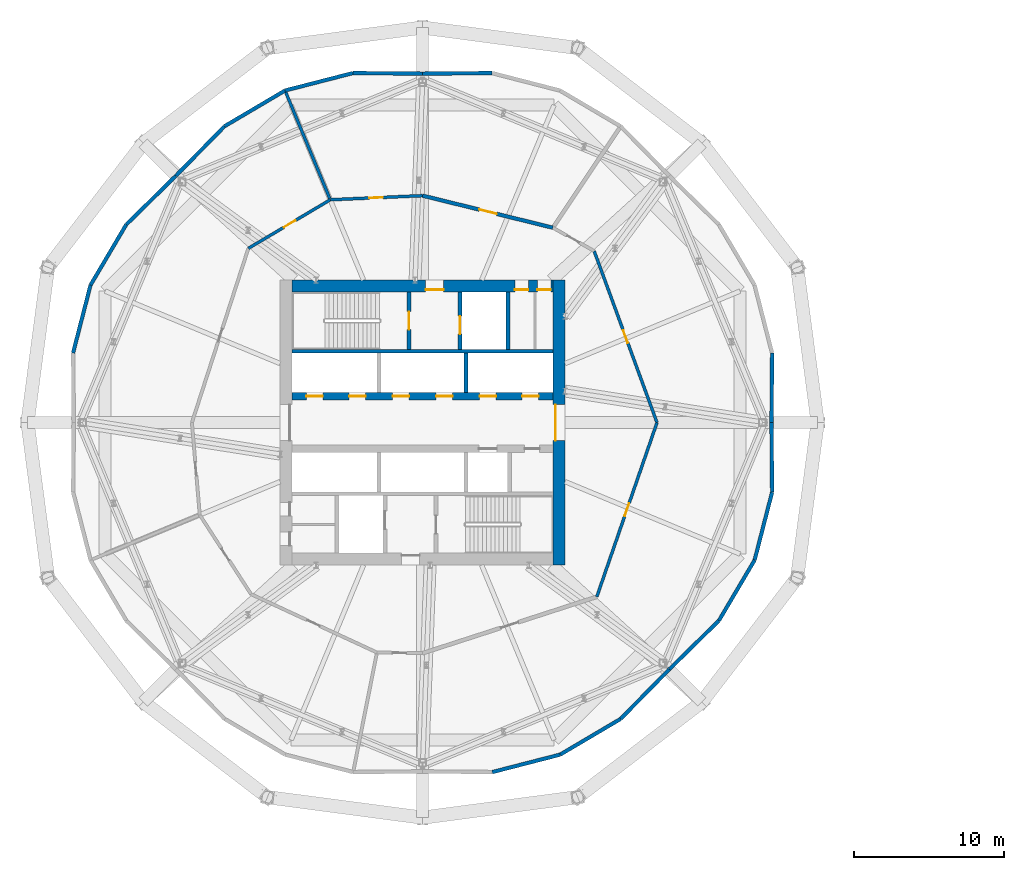
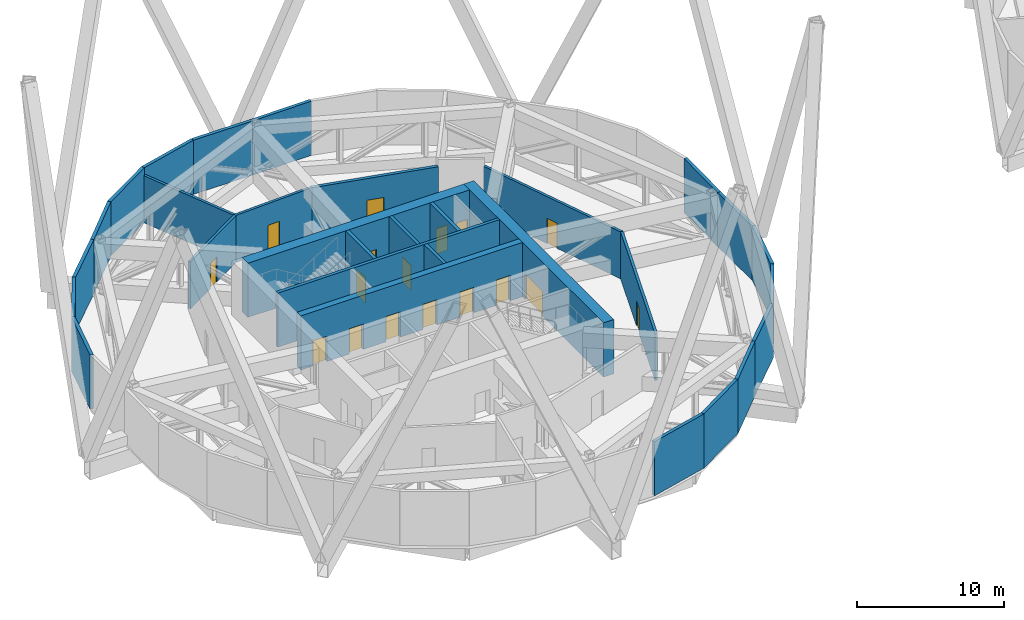
# One storey, part 15 of 21: 30 walls, 17 doors, 17 openings.
"""IFC4 building model written with IfcOpenShell, lengths in metres."""

from ifc_helpers import new_model, si_unit, direction, frame, frame_2d, origin, place, context, subcontext, project, spatial, rectangle, extrude, material, layer, layer_set, type_object, element, fill, save


model = new_model("IFC4")

# Units and contexts
model_context = context("Model", 3, precision=1e-05, world=origin(), true_north=direction((0.0, 1.0)))
body_context = subcontext(model_context, "Body", "Model", "MODEL_VIEW")
ifc_project = project(units=[si_unit("LENGTHUNIT", "METRE"), si_unit("AREAUNIT", "SQUARE_METRE"), si_unit("VOLUMEUNIT", "CUBIC_METRE"), si_unit("PLANEANGLEUNIT", "RADIAN"), si_unit("MASSUNIT", "GRAM", prefix="KILO")], contexts=[model_context])

# Site, building, storey
site_placement = place(None, origin())
site = spatial("IfcSite", under=ifc_project, at=site_placement, CompositionType="ELEMENT")
building_placement = place(site_placement, origin())
building = spatial("IfcBuilding", under=site, at=building_placement, Name="Ogive Gate Towers", CompositionType="ELEMENT")
storey_placement = place(building_placement, frame((0.0, 0.0, 71.39990234375)))
storey = spatial("IfcBuildingStorey", under=building, at=storey_placement, Name="L16", CompositionType="ELEMENT", Elevation=71.39990234375)

# Wall
ifc_material_1 = material(Name="Fire-rated block compartment wall")
ifc_layer_1 = layer(ifc_material_1, 0.199951171875)
ifc_layer_set_1 = layer_set([ifc_layer_1], Name="Compartment wall 200")
wall_type_1 = type_object("IfcWallType", Name="Compartment wall 200", PredefinedType="PARTITIONING", material=ifc_layer_set_1)
wall_1_placement = place(storey_placement, frame((-45.1767578125, 22.154541015625, 0.0), z_axis=(0.0, 0.0, 1.0), x_axis=(0.382675881909, -0.923882659976, 0.0)))
element("IfcWall", 1, at=wall_1_placement, inside=storey, type_object=wall_type_1, Name="Partition T1-L16-002", PredefinedType="PARTITIONING", context=body_context, shape_type="SweptSolid", body=[
    extrude(rectangle(XDim=7.806396484375, YDim=0.199951171875, at=frame_2d((3.9033203125, 0.0))), origin(), (0.0, 0.0, 1.0), 3.900146484375),
])

# Wall, opening, door
wall_2_placement = place(storey_placement, frame((-36.0, 15.122802734375, 0.0), z_axis=(0.0, 0.0, 1.0), x_axis=(-0.999018686011, -0.044290687528, 0.0)))
wall_2 = element("IfcWall", 2, at=wall_2_placement, inside=storey, type_object=wall_type_1, Name="Partition T1-L16-006", PredefinedType="PARTITIONING", context=body_context, shape_type="SweptSolid", body=[
    extrude(rectangle(XDim=6.1572265625, YDim=0.199951171875, at=frame_2d((3.07861328125, 0.0))), origin(), (0.0, 0.0, 1.0), 3.900146484375),
])
opening_1_placement = place(wall_2_placement, frame((2.64990234375, 0.0, 0.0)))
opening_1 = element("IfcOpeningElement", 3, at=opening_1_placement, cuts=wall_2, Name="Opening T1-L16-D02", PredefinedType="OPENING", context=body_context, shape_type="SweptSolid", body=[
    extrude(rectangle(XDim=0.89990234375, YDim=2.10009765625, at=frame_2d((0.449951171875, 1.050048828125))), frame((0.0, 0.10986328125, 0.0), z_axis=(0.0, -1.0, 0.0), x_axis=(1.0, 0.0, 0.0)), (0.0, 0.0, 1.0), 0.219970703125),
])
ifc_material_2 = material(Name="Steel fire door", Category="steel")
door_type_1 = type_object("IfcDoorType", Name="Fire door 900 FD30S", OperationType="NOTDEFINED", PredefinedType="DOOR", material=ifc_material_2)
door_1_placement = place(opening_1_placement, origin())
door_1 = element("IfcDoor", 4, at=door_1_placement, inside=storey, type_object=door_type_1, Name="Door T1-L16-D02", OperationType="SINGLE_SWING_LEFT", OverallHeight=2.10009765625, OverallWidth=0.89990234375, PredefinedType="DOOR", context=body_context, shape_type="SweptSolid", body=[
    extrude(rectangle(XDim=0.89990234375, YDim=2.10009765625, at=frame_2d((0.449951171875, 1.050048828125))), frame((0.0, 0.02490234375, 0.0), z_axis=(0.0, -1.0, 0.0), x_axis=(1.0, 0.0, 0.0)), (0.0, 0.0, 1.0), 0.050048828125),
])
fill(opening_1, door_1)

wall_3_placement = place(storey_placement, frame((-42.151123046875, 14.85009765625, 0.0), z_axis=(0.0, 0.0, 1.0), x_axis=(-0.859997157587, -0.510298823183, 0.0)))
wall_3 = element("IfcWall", 5, at=wall_3_placement, inside=storey, type_object=wall_type_1, Name="Partition T1-L16-007", PredefinedType="PARTITIONING", context=body_context, shape_type="SweptSolid", body=[
    extrude(rectangle(XDim=6.34814453125, YDim=0.199951171875, at=frame_2d((3.174072265625, 0.0))), origin(), (0.0, 0.0, 1.0), 3.900146484375),
])
opening_2_placement = place(wall_3_placement, frame((2.699951171875, 0.0, 0.0)))
opening_2 = element("IfcOpeningElement", 6, at=opening_2_placement, cuts=wall_3, Name="Opening T1-L16-D03", PredefinedType="OPENING", context=body_context, shape_type="SweptSolid", body=[
    extrude(rectangle(XDim=0.89990234375, YDim=2.10009765625, at=frame_2d((0.449951171875, 1.050048828125))), frame((0.0, 0.10986328125, 0.0), z_axis=(0.0, -1.0, 0.0), x_axis=(1.0, 0.0, 0.0)), (0.0, 0.0, 1.0), 0.219970703125),
])
door_2_placement = place(opening_2_placement, origin())
door_2 = element("IfcDoor", 7, at=door_2_placement, inside=storey, type_object=door_type_1, Name="Door T1-L16-D03", OperationType="SINGLE_SWING_RIGHT", OverallHeight=2.10009765625, OverallWidth=0.89990234375, PredefinedType="DOOR", context=body_context, shape_type="SweptSolid", body=[
    extrude(rectangle(XDim=0.89990234375, YDim=2.10009765625, at=frame_2d((0.449951171875, 1.050048828125))), frame((0.0, 0.02490234375, 0.0), z_axis=(0.0, -1.0, 0.0), x_axis=(1.0, 0.0, 0.0)), (0.0, 0.0, 1.0), 0.050048828125),
])
fill(opening_2, door_2)

wall_4_placement = place(storey_placement, frame((-24.389404296875, -11.610595703125, 0.0), z_axis=(0.0, 0.0, 1.0), x_axis=(0.326612901712, 0.945158194397, 0.0)))
wall_4 = element("IfcWall", 8, at=wall_4_placement, inside=storey, type_object=wall_type_1, Name="Partition T1-L16-014", PredefinedType="PARTITIONING", context=body_context, shape_type="SweptSolid", body=[
    extrude(rectangle(XDim=12.2841796875, YDim=0.199951171875, at=frame_2d((6.14208984375, 0.0))), origin(), (0.0, 0.0, 1.0), 3.900146484375),
])
opening_3_placement = place(wall_4_placement, frame((5.699951171875, 0.0, 0.0)))
opening_3 = element("IfcOpeningElement", 9, at=opening_3_placement, cuts=wall_4, Name="Opening T1-L16-D10", PredefinedType="OPENING", context=body_context, shape_type="SweptSolid", body=[
    extrude(rectangle(XDim=0.89990234375, YDim=2.10009765625, at=frame_2d((0.449951171875, 1.050048828125))), frame((0.0, 0.10986328125, 0.0), z_axis=(0.0, -1.0, 0.0), x_axis=(1.0, 0.0, 0.0)), (0.0, 0.0, 1.0), 0.219970703125),
])
door_3_placement = place(opening_3_placement, origin())
door_3 = element("IfcDoor", 10, at=door_3_placement, inside=storey, type_object=door_type_1, Name="Door T1-L16-D10", OperationType="SINGLE_SWING_RIGHT", OverallHeight=2.10009765625, OverallWidth=0.89990234375, PredefinedType="DOOR", context=body_context, shape_type="SweptSolid", body=[
    extrude(rectangle(XDim=0.89990234375, YDim=2.10009765625, at=frame_2d((0.449951171875, 1.050048828125))), frame((0.0, 0.02490234375, 0.0), z_axis=(0.0, -1.0, 0.0), x_axis=(1.0, 0.0, 0.0)), (0.0, 0.0, 1.0), 0.050048828125),
])
fill(opening_3, door_3)

wall_5_placement = place(storey_placement, frame((-20.377197265625, 0.0, 0.0), z_axis=(0.0, 0.0, 1.0), x_axis=(-0.343981292192, 0.938976501634, 0.0)))
wall_5 = element("IfcWall", 11, at=wall_5_placement, inside=storey, type_object=wall_type_1, Name="Partition T1-L16-015", PredefinedType="PARTITIONING", context=body_context, shape_type="SweptSolid", body=[
    extrude(rectangle(XDim=12.17724609375, YDim=0.199951171875, at=frame_2d((6.088623046875, 0.0))), origin(), (0.0, 0.0, 1.0), 3.900146484375),
])
opening_4_placement = place(wall_5_placement, frame((5.64990234375, 0.0, 0.0)))
opening_4 = element("IfcOpeningElement", 12, at=opening_4_placement, cuts=wall_5, Name="Opening T1-L16-D11", PredefinedType="OPENING", context=body_context, shape_type="SweptSolid", body=[
    extrude(rectangle(XDim=0.89990234375, YDim=2.10009765625, at=frame_2d((0.449951171875, 1.050048828125))), frame((0.0, 0.10986328125, 0.0), z_axis=(0.0, -1.0, 0.0), x_axis=(1.0, 0.0, 0.0)), (0.0, 0.0, 1.0), 0.219970703125),
])
door_4_placement = place(opening_4_placement, origin())
door_4 = element("IfcDoor", 13, at=door_4_placement, inside=storey, type_object=door_type_1, Name="Door T1-L16-D11", OperationType="SINGLE_SWING_LEFT", OverallHeight=2.10009765625, OverallWidth=0.89990234375, PredefinedType="DOOR", context=body_context, shape_type="SweptSolid", body=[
    extrude(rectangle(XDim=0.89990234375, YDim=2.10009765625, at=frame_2d((0.449951171875, 1.050048828125))), frame((0.0, 0.02490234375, 0.0), z_axis=(0.0, -1.0, 0.0), x_axis=(1.0, 0.0, 0.0)), (0.0, 0.0, 1.0), 0.050048828125),
])
fill(opening_4, door_4)

# Wall, openings, doors
ifc_material_3 = material(Name="Concrete C60/75", Category="concrete")
ifc_layer_2 = layer(ifc_material_3, 0.800048828125)
ifc_layer_set_2 = layer_set([ifc_layer_2], Name="Core wall 800 mm")
wall_type_2 = type_object("IfcWallType", Name="Core wall 800 mm", PredefinedType="SHEAR", material=ifc_layer_set_2)
wall_6_placement = place(storey_placement, frame((-44.699951171875, 9.10009765625, 0.0), z_axis=(0.0, 0.0, 1.0), x_axis=(1.0, 0.0, 0.0)))
wall_6 = element("IfcWall", 14, at=wall_6_placement, inside=storey, type_object=wall_type_2, Name="T1 L16 Core wall 800 mm", PredefinedType="SHEAR", context=body_context, shape_type="SweptSolid", body=[
    extrude(rectangle(XDim=17.39990234375, YDim=0.800048828125, at=frame_2d((8.699951171875, 0.0))), origin(), (0.0, 0.0, 1.0), 4.5),
])
opening_5_placement = place(wall_6_placement, frame((8.89990234375, 0.0, 0.0)))
opening_5 = element("IfcOpeningElement", 15, at=opening_5_placement, cuts=wall_6, Name="Opening KD-T1-L16-15", PredefinedType="OPENING", context=body_context, shape_type="SweptSolid", body=[
    extrude(rectangle(XDim=1.199951171875, YDim=2.10009765625, at=frame_2d((0.60009765625, 1.050048828125))), frame((0.0, 0.41015625, 0.0), z_axis=(0.0, -1.0, 0.0), x_axis=(1.0, 0.0, 0.0)), (0.0, 0.0, 1.0), 0.820068359375),
])
opening_6_placement = place(wall_6_placement, frame((14.85009765625, 0.0, 0.0)))
opening_6 = element("IfcOpeningElement", 16, at=opening_6_placement, cuts=wall_6, Name="Opening KD-T1-L16-17", PredefinedType="OPENING", context=body_context, shape_type="SweptSolid", body=[
    extrude(rectangle(XDim=0.89990234375, YDim=2.10009765625, at=frame_2d((0.449951171875, 1.050048828125))), frame((0.0, 0.41015625, 0.0), z_axis=(0.0, -1.0, 0.0), x_axis=(1.0, 0.0, 0.0)), (0.0, 0.0, 1.0), 0.820068359375),
])
opening_7_placement = place(wall_6_placement, frame((16.35009765625, 0.0, 0.0)))
opening_7 = element("IfcOpeningElement", 17, at=opening_7_placement, cuts=wall_6, Name="Opening KD-T1-L16-18", PredefinedType="OPENING", context=body_context, shape_type="SweptSolid", body=[
    extrude(rectangle(XDim=0.89990234375, YDim=2.10009765625, at=frame_2d((0.449951171875, 1.050048828125))), frame((0.0, 0.41015625, 0.0), z_axis=(0.0, -1.0, 0.0), x_axis=(1.0, 0.0, 0.0)), (0.0, 0.0, 1.0), 0.820068359375),
])
door_type_2 = type_object("IfcDoorType", Name="Core door FD60S 1200 x 2100", OperationType="NOTDEFINED", PredefinedType="DOOR", material=ifc_material_2)
door_5_placement = place(opening_5_placement, origin())
door_5 = element("IfcDoor", 18, at=door_5_placement, inside=storey, type_object=door_type_2, Name="T1 L16 Fire-fighting lobby door", OperationType="SINGLE_SWING_RIGHT", OverallHeight=2.10009765625, OverallWidth=1.199951171875, PredefinedType="DOOR", context=body_context, shape_type="SweptSolid", body=[
    extrude(rectangle(XDim=1.199951171875, YDim=2.10009765625, at=frame_2d((0.60009765625, 1.050048828125))), frame((0.0, -0.22509765625, 0.0), z_axis=(0.0, -1.0, 0.0), x_axis=(1.0, 0.0, 0.0)), (0.0, 0.0, 1.0), 0.050048828125),
])
fill(opening_5, door_5)
door_type_3 = type_object("IfcDoorType", Name="Core door FD60S 900 x 2100", OperationType="NOTDEFINED", PredefinedType="DOOR", material=ifc_material_2)
door_6_placement = place(opening_6_placement, origin())
door_6 = element("IfcDoor", 19, at=door_6_placement, inside=storey, type_object=door_type_3, Name="T1 L16 Core door", OperationType="SINGLE_SWING_RIGHT", OverallHeight=2.10009765625, OverallWidth=0.89990234375, PredefinedType="DOOR", context=body_context, shape_type="SweptSolid", body=[
    extrude(rectangle(XDim=0.89990234375, YDim=2.10009765625, at=frame_2d((0.449951171875, 1.050048828125))), frame((0.0, -0.22509765625, 0.0), z_axis=(0.0, -1.0, 0.0), x_axis=(1.0, 0.0, 0.0)), (0.0, 0.0, 1.0), 0.050048828125),
])
fill(opening_6, door_6)
door_7_placement = place(opening_7_placement, origin())
door_7 = element("IfcDoor", 20, at=door_7_placement, inside=storey, type_object=door_type_3, Name="T1 L16 Core door", OperationType="SINGLE_SWING_LEFT", OverallHeight=2.10009765625, OverallWidth=0.89990234375, PredefinedType="DOOR", context=body_context, shape_type="SweptSolid", body=[
    extrude(rectangle(XDim=0.89990234375, YDim=2.10009765625, at=frame_2d((0.449951171875, 1.050048828125))), frame((0.0, -0.22509765625, 0.0), z_axis=(0.0, -1.0, 0.0), x_axis=(1.0, 0.0, 0.0)), (0.0, 0.0, 1.0), 0.050048828125),
])
fill(opening_7, door_7)

# Wall, opening, door
wall_7_placement = place(storey_placement, frame((-26.89990234375, -9.5, 0.0), z_axis=(0.0, 0.0, 1.0), x_axis=(0.0, 1.0, 0.0)))
wall_7 = element("IfcWall", 21, at=wall_7_placement, inside=storey, type_object=wall_type_2, Name="T1 L16 Core wall 800 mm", PredefinedType="SHEAR", context=body_context, shape_type="SweptSolid", body=[
    extrude(rectangle(XDim=19.0, YDim=0.800048828125, at=frame_2d((9.5, 0.0))), origin(), (0.0, 0.0, 1.0), 4.5),
])
opening_8_placement = place(wall_7_placement, frame((8.300048828125, 0.0, 0.0)))
opening_8 = element("IfcOpeningElement", 22, at=opening_8_placement, cuts=wall_7, Name="Opening KD-T1-L16-02", PredefinedType="OPENING", context=body_context, shape_type="SweptSolid", body=[
    extrude(rectangle(XDim=2.39990234375, YDim=2.10009765625, at=frame_2d((1.199951171875, 1.050048828125))), frame((0.0, 0.41015625, 0.0), z_axis=(0.0, -1.0, 0.0), x_axis=(1.0, 0.0, 0.0)), (0.0, 0.0, 1.0), 0.820068359375),
])
door_type_4 = type_object("IfcDoorType", Name="Core double door FD60S 2400 x 2100", OperationType="DOUBLE_DOOR_SINGLE_SWING", PredefinedType="DOOR", material=ifc_material_2)
door_8_placement = place(opening_8_placement, origin())
door_8 = element("IfcDoor", 23, at=door_8_placement, inside=storey, type_object=door_type_4, Name="T1 L16 Core door double", OperationType="DOUBLE_DOOR_SINGLE_SWING", OverallHeight=2.10009765625, OverallWidth=2.39990234375, PredefinedType="DOOR", context=body_context, shape_type="SweptSolid", body=[
    extrude(rectangle(XDim=2.39990234375, YDim=2.10009765625, at=frame_2d((1.199951171875, 1.050048828125))), frame((0.0, 0.27490234375, 0.0), z_axis=(0.0, -1.0, 0.0), x_axis=(1.0, 0.0, 0.0)), (0.0, 0.0, 1.0), 0.050048828125),
])
fill(opening_8, door_8)

# Walls
ifc_material_4 = material(Name="Pale metal aluminium louvre", Category="aluminium")
ifc_layer_3 = layer(ifc_material_4, 0.25)
ifc_layer_set_3 = layer_set([ifc_layer_3], Name="Plant louvre wall")
wall_type_3 = type_object("IfcWallType", Name="Plant louvre wall", PredefinedType="SOLIDWALL", material=ifc_layer_set_3)
for number, where, z_axis, x_axis, name in (
    (24, (-12.7451171875, 0.0, 0.0), (0.0, 0.0, 1.0), (0.00932029026, 0.999956565151, 0.0), "Plant louvre wall"),
    (25, (-31.36376953125, 23.298095703125, 0.0), (0.0, 0.0, 1.0), (-0.999956565151, -0.00932029026, 0.0), "Plant louvre wall"),
    (26, (-36.0, 23.2548828125, 0.0), (0.0, 0.0, 1.0), (-0.999956565151, 0.00932029026, 0.0), "Plant louvre wall"),
):
    element("IfcWall", number, at=place(storey_placement, frame(where, z_axis=z_axis, x_axis=x_axis)), inside=storey, type_object=wall_type_3, Name=name, PredefinedType="SOLIDWALL", context=body_context, shape_type="SweptSolid", body=[
        extrude(rectangle(XDim=4.636474609375, YDim=0.25, at=frame_2d((2.318359375, 0.0))), origin(), (0.0, 0.0, 1.0), 4.5),
    ])
wall_8_placement = place(storey_placement, frame((-40.63623046875, 23.298095703125, 0.0), z_axis=(0.0, 0.0, 1.0), x_axis=(-0.968405489026, -0.249380850957, 0.0)))
element("IfcWall", 27, at=wall_8_placement, inside=storey, type_object=wall_type_3, Name="Plant louvre wall", PredefinedType="SOLIDWALL", context=body_context, shape_type="SweptSolid", body=[
    extrude(rectangle(XDim=4.678466796875, YDim=0.25, at=frame_2d((2.33935546875, 0.0))), origin(), (0.0, 0.0, 1.0), 4.5),
])
wall_9_placement = place(storey_placement, frame((-45.1669921875, 22.13134765625, 0.0), z_axis=(0.0, 0.0, 1.0), x_axis=(-0.861090617776, -0.508451519792, 0.0)))
element("IfcWall", 28, at=wall_9_placement, inside=storey, type_object=wall_type_3, Name="Plant louvre wall", PredefinedType="SOLIDWALL", context=body_context, shape_type="SweptSolid", body=[
    extrude(rectangle(XDim=4.6787109375, YDim=0.25, at=frame_2d((2.33935546875, 0.0))), origin(), (0.0, 0.0, 1.0), 4.5),
])
for number, where, z_axis, x_axis, name in (
    (29, (-49.19580078125, 19.75244140625, 0.0), (0.0, 0.0, 1.0), (-0.700547180345, -0.713606087495, 0.0), "Plant louvre wall"),
    (30, (-52.44384765625, 16.44384765625, 0.0), (0.0, 0.0, 1.0), (-0.713606087495, -0.700547180345, 0.0), "Plant louvre wall"),
):
    element("IfcWall", number, at=place(storey_placement, frame(where, z_axis=z_axis, x_axis=x_axis)), inside=storey, type_object=wall_type_3, Name=name, PredefinedType="SOLIDWALL", context=body_context, shape_type="SweptSolid", body=[
        extrude(rectangle(XDim=4.636474609375, YDim=0.25, at=frame_2d((2.318359375, 0.0))), origin(), (0.0, 0.0, 1.0), 4.5),
    ])
wall_10_placement = place(storey_placement, frame((-55.75244140625, 13.19580078125, 0.0), z_axis=(0.0, 0.0, 1.0), x_axis=(-0.508451519792, -0.861090617776, 0.0)))
element("IfcWall", 31, at=wall_10_placement, inside=storey, type_object=wall_type_3, Name="Plant louvre wall", PredefinedType="SOLIDWALL", context=body_context, shape_type="SweptSolid", body=[
    extrude(rectangle(XDim=4.6787109375, YDim=0.25, at=frame_2d((2.33935546875, 0.0))), origin(), (0.0, 0.0, 1.0), 4.5),
])
for number, where, z_axis, x_axis, name in (
    (32, (-58.13134765625, 9.1669921875, 0.0), (0.0, 0.0, 1.0), (-0.249380850957, -0.968405489026, 0.0), "Plant louvre wall"),
    (33, (-31.36376953125, -23.298095703125, 0.0), (0.0, 0.0, 1.0), (0.968405489026, 0.249380850957, 0.0), "Plant louvre wall"),
):
    element("IfcWall", number, at=place(storey_placement, frame(where, z_axis=z_axis, x_axis=x_axis)), inside=storey, type_object=wall_type_3, Name=name, PredefinedType="SOLIDWALL", context=body_context, shape_type="SweptSolid", body=[
        extrude(rectangle(XDim=4.678466796875, YDim=0.25, at=frame_2d((2.33935546875, 0.0))), origin(), (0.0, 0.0, 1.0), 4.5),
    ])
wall_11_placement = place(storey_placement, frame((-26.8330078125, -22.13134765625, 0.0), z_axis=(0.0, 0.0, 1.0), x_axis=(0.861090617776, 0.508451519792, 0.0)))
element("IfcWall", 34, at=wall_11_placement, inside=storey, type_object=wall_type_3, Name="Plant louvre wall", PredefinedType="SOLIDWALL", context=body_context, shape_type="SweptSolid", body=[
    extrude(rectangle(XDim=4.6787109375, YDim=0.25, at=frame_2d((2.33935546875, 0.0))), origin(), (0.0, 0.0, 1.0), 4.5),
])
for number, where, z_axis, x_axis, name in (
    (35, (-22.80419921875, -19.75244140625, 0.0), (0.0, 0.0, 1.0), (0.700547180345, 0.713606087495, 0.0), "Plant louvre wall"),
    (36, (-19.55615234375, -16.44384765625, 0.0), (0.0, 0.0, 1.0), (0.713606087495, 0.700547180345, 0.0), "Plant louvre wall"),
):
    element("IfcWall", number, at=place(storey_placement, frame(where, z_axis=z_axis, x_axis=x_axis)), inside=storey, type_object=wall_type_3, Name=name, PredefinedType="SOLIDWALL", context=body_context, shape_type="SweptSolid", body=[
        extrude(rectangle(XDim=4.636474609375, YDim=0.25, at=frame_2d((2.318359375, 0.0))), origin(), (0.0, 0.0, 1.0), 4.5),
    ])
wall_12_placement = place(storey_placement, frame((-16.24755859375, -13.19580078125, 0.0), z_axis=(0.0, 0.0, 1.0), x_axis=(0.508451519792, 0.861090617776, 0.0)))
element("IfcWall", 37, at=wall_12_placement, inside=storey, type_object=wall_type_3, Name="Plant louvre wall", PredefinedType="SOLIDWALL", context=body_context, shape_type="SweptSolid", body=[
    extrude(rectangle(XDim=4.6787109375, YDim=0.25, at=frame_2d((2.33935546875, 0.0))), origin(), (0.0, 0.0, 1.0), 4.5),
])
wall_13_placement = place(storey_placement, frame((-13.86865234375, -9.1669921875, 0.0), z_axis=(0.0, 0.0, 1.0), x_axis=(0.249380850957, 0.968405489026, 0.0)))
element("IfcWall", 38, at=wall_13_placement, inside=storey, type_object=wall_type_3, Name="Plant louvre wall", PredefinedType="SOLIDWALL", context=body_context, shape_type="SweptSolid", body=[
    extrude(rectangle(XDim=4.678466796875, YDim=0.25, at=frame_2d((2.33935546875, 0.0))), origin(), (0.0, 0.0, 1.0), 4.5),
])
wall_14_placement = place(storey_placement, frame((-12.701904296875, -4.63623046875, 0.0), z_axis=(0.0, 0.0, 1.0), x_axis=(-0.00932029026, 0.999956565151, 0.0)))
element("IfcWall", 39, at=wall_14_placement, inside=storey, type_object=wall_type_3, Name="Plant louvre wall", PredefinedType="SOLIDWALL", context=body_context, shape_type="SweptSolid", body=[
    extrude(rectangle(XDim=4.636474609375, YDim=0.25, at=frame_2d((2.318359375, 0.0))), origin(), (0.0, 0.0, 1.0), 4.5),
])

# Wall, opening, door
ifc_material_5 = material(Name="Fire-rated concrete block wall", Category="concrete")
ifc_layer_4 = layer(ifc_material_5, 0.25)
ifc_layer_set_4 = layer_set([ifc_layer_4], Name="Refuge compartment wall 250")
wall_type_4 = type_object("IfcWallType", Name="Refuge compartment wall 250", PredefinedType="PARTITIONING", material=ifc_layer_set_4)
wall_15_placement = place(storey_placement, frame((-27.316162109375, 12.987548828125, 0.0), z_axis=(0.0, 0.0, 1.0), x_axis=(-0.971074702657, 0.238775882073, 0.0)))
wall_15 = element("IfcWall", 40, at=wall_15_placement, inside=storey, type_object=wall_type_4, Name="Partition T1-L16-005", PredefinedType="PARTITIONING", context=body_context, shape_type="SweptSolid", body=[
    extrude(rectangle(XDim=8.9423828125, YDim=0.25, at=frame_2d((4.47119140625, 0.0))), origin(), (0.0, 0.0, 1.0), 3.900146484375),
])
opening_9_placement = place(wall_15_placement, frame((3.85009765625, 0.0, 0.0)))
opening_9 = element("IfcOpeningElement", 41, at=opening_9_placement, cuts=wall_15, Name="Opening T1-L16-D01", PredefinedType="OPENING", context=body_context, shape_type="SweptSolid", body=[
    extrude(rectangle(XDim=1.199951171875, YDim=2.10009765625, at=frame_2d((0.60009765625, 1.050048828125))), frame((0.0, 0.135009765625, 0.0), z_axis=(0.0, -1.0, 0.0), x_axis=(1.0, 0.0, 0.0)), (0.0, 0.0, 1.0), 0.27001953125),
])
door_type_5 = type_object("IfcDoorType", Name="Fire door 1200 FD60S", OperationType="NOTDEFINED", PredefinedType="DOOR", material=ifc_material_2)
door_9_placement = place(opening_9_placement, origin())
door_9 = element("IfcDoor", 42, at=door_9_placement, inside=storey, type_object=door_type_5, Name="Door T1-L16-D01", OperationType="SINGLE_SWING_RIGHT", OverallHeight=2.10009765625, OverallWidth=1.199951171875, PredefinedType="DOOR", context=body_context, shape_type="SweptSolid", body=[
    extrude(rectangle(XDim=1.199951171875, YDim=2.10009765625, at=frame_2d((0.60009765625, 1.050048828125))), frame((0.0, 0.02490234375, 0.0), z_axis=(0.0, -1.0, 0.0), x_axis=(1.0, 0.0, 0.0)), (0.0, 0.0, 1.0), 0.050048828125),
])
fill(opening_9, door_9)

# Wall
ifc_layer_5 = layer(ifc_material_3, 0.25)
ifc_layer_set_5 = layer_set([ifc_layer_5], Name="Shaft wall 250 mm")
wall_type_5 = type_object("IfcWallType", Name="Shaft wall 250 mm", PredefinedType="SHEAR", material=ifc_layer_set_5)
wall_16_placement = place(storey_placement, frame((-44.699951171875, 4.75, 0.0), z_axis=(0.0, 0.0, 1.0), x_axis=(1.0, 0.0, 0.0)))
element("IfcWall", 43, at=wall_16_placement, inside=storey, type_object=wall_type_5, Name="T1 L16 Shaft wall 250 mm", PredefinedType="SHEAR", context=body_context, shape_type="SweptSolid", body=[
    extrude(rectangle(XDim=17.39990234375, YDim=0.25, at=frame_2d((8.699951171875, 0.0))), origin(), (0.0, 0.0, 1.0), 4.5),
])

# Wall, opening, door
wall_17_placement = place(storey_placement, frame((-36.89990234375, 4.875, 0.0), z_axis=(0.0, 0.0, 1.0), x_axis=(0.0, 1.0, 0.0)))
wall_17 = element("IfcWall", 44, at=wall_17_placement, inside=storey, type_object=wall_type_5, Name="T1 L16 Shaft wall 250 mm", PredefinedType="SHEAR", context=body_context, shape_type="SweptSolid", body=[
    extrude(rectangle(XDim=3.824951171875, YDim=0.25, at=frame_2d((1.91259765625, 0.0))), origin(), (0.0, 0.0, 1.0), 4.5),
])
opening_10_placement = place(wall_17_placement, frame((1.324951171875, 0.0, 0.0)))
opening_10 = element("IfcOpeningElement", 45, at=opening_10_placement, cuts=wall_17, Name="Opening KD-T1-L16-13", PredefinedType="OPENING", context=body_context, shape_type="SweptSolid", body=[
    extrude(rectangle(XDim=1.199951171875, YDim=2.10009765625, at=frame_2d((0.60009765625, 1.050048828125))), frame((0.0, 0.135009765625, 0.0), z_axis=(0.0, -1.0, 0.0), x_axis=(1.0, 0.0, 0.0)), (0.0, 0.0, 1.0), 0.27001953125),
])
door_10_placement = place(opening_10_placement, origin())
door_10 = element("IfcDoor", 46, at=door_10_placement, inside=storey, type_object=door_type_2, Name="T1 L16 Stair door", OperationType="SINGLE_SWING_RIGHT", OverallHeight=2.10009765625, OverallWidth=1.199951171875, PredefinedType="DOOR", context=body_context, shape_type="SweptSolid", body=[
    extrude(rectangle(XDim=1.199951171875, YDim=2.10009765625, at=frame_2d((0.60009765625, 1.050048828125))), frame((0.0, 0.02490234375, 0.0), z_axis=(0.0, -1.0, 0.0), x_axis=(1.0, 0.0, 0.0)), (0.0, 0.0, 1.0), 0.050048828125),
])
fill(opening_10, door_10)

wall_18_placement = place(storey_placement, frame((-33.5, 4.875, 0.0), z_axis=(0.0, 0.0, 1.0), x_axis=(0.0, 1.0, 0.0)))
wall_18 = element("IfcWall", 47, at=wall_18_placement, inside=storey, type_object=wall_type_5, Name="T1 L16 Shaft wall 250 mm", PredefinedType="SHEAR", context=body_context, shape_type="SweptSolid", body=[
    extrude(rectangle(XDim=3.824951171875, YDim=0.25, at=frame_2d((1.91259765625, 0.0))), origin(), (0.0, 0.0, 1.0), 4.5),
])
opening_11_placement = place(wall_18_placement, frame((1.02490234375, 0.0, 0.0)))
opening_11 = element("IfcOpeningElement", 48, at=opening_11_placement, cuts=wall_18, Name="Opening LD-T1-L16-10", PredefinedType="OPENING", context=body_context, shape_type="SweptSolid", body=[
    extrude(rectangle(XDim=1.199951171875, YDim=2.10009765625, at=frame_2d((0.60009765625, 1.050048828125))), frame((0.0, 0.135009765625, 0.0), z_axis=(0.0, -1.0, 0.0), x_axis=(1.0, 0.0, 0.0)), (0.0, 0.0, 1.0), 0.27001953125),
])
ifc_material_6 = material(Name="Stainless steel landing door", Category="steel")
door_type_6 = type_object("IfcDoorType", Name="Landing door 1200 x 2100", OperationType="SLIDING_TO_LEFT", PredefinedType="DOOR", material=ifc_material_6)
door_11_placement = place(opening_11_placement, origin())
door_11 = element("IfcDoor", 49, at=door_11_placement, inside=storey, type_object=door_type_6, Name="T1 L16 Lift landing door FF1", OperationType="SLIDING_TO_LEFT", OverallHeight=2.10009765625, OverallWidth=1.199951171875, PredefinedType="DOOR", context=body_context, shape_type="SweptSolid", body=[
    extrude(rectangle(XDim=1.199951171875, YDim=2.10009765625, at=frame_2d((0.60009765625, 1.050048828125))), frame((0.0, 0.02490234375, 0.0), z_axis=(0.0, -1.0, 0.0), x_axis=(1.0, 0.0, 0.0)), (0.0, 0.0, 1.0), 0.050048828125),
])
fill(opening_11, door_11)

# Walls
wall_19_placement = place(storey_placement, frame((-33.10009765625, 2.0, 0.0), z_axis=(0.0, 0.0, 1.0), x_axis=(0.0, 1.0, 0.0)))
element("IfcWall", 50, at=wall_19_placement, inside=storey, type_object=wall_type_5, Name="T1 L16 Shaft wall 250 mm", PredefinedType="SHEAR", context=body_context, shape_type="SweptSolid", body=[
    extrude(rectangle(XDim=2.625, YDim=0.25, at=frame_2d((1.3125, 0.0))), origin(), (0.0, 0.0, 1.0), 4.5),
])
wall_20_placement = place(storey_placement, frame((-30.300048828125, 4.875, 0.0), z_axis=(0.0, 0.0, 1.0), x_axis=(0.0, 1.0, 0.0)))
element("IfcWall", 51, at=wall_20_placement, inside=storey, type_object=wall_type_5, Name="T1 L16 Shaft wall 250 mm", PredefinedType="SHEAR", context=body_context, shape_type="SweptSolid", body=[
    extrude(rectangle(XDim=3.824951171875, YDim=0.25, at=frame_2d((1.91259765625, 0.0))), origin(), (0.0, 0.0, 1.0), 4.5),
])

# Wall, openings, doors
ifc_layer_6 = layer(ifc_material_3, 0.5)
ifc_layer_set_6 = layer_set([ifc_layer_6], Name="Spine wall 500 mm")
wall_type_6 = type_object("IfcWallType", Name="Spine wall 500 mm", PredefinedType="SHEAR", material=ifc_layer_set_6)
wall_21_placement = place(storey_placement, frame((-44.699951171875, 1.75, 0.0), z_axis=(0.0, 0.0, 1.0), x_axis=(1.0, 0.0, 0.0)))
wall_21 = element("IfcWall", 52, at=wall_21_placement, inside=storey, type_object=wall_type_6, Name="T1 L16 Spine wall 500 mm", PredefinedType="SHEAR", context=body_context, shape_type="SweptSolid", body=[
    extrude(rectangle(XDim=17.39990234375, YDim=0.5, at=frame_2d((8.699951171875, 0.0))), origin(), (0.0, 0.0, 1.0), 4.5),
])
opening_12_placement = place(wall_21_placement, frame((0.96240234375, 0.0, 0.0)))
opening_12 = element("IfcOpeningElement", 53, at=opening_12_placement, cuts=wall_21, Name="Opening LD-T1-L16-03", PredefinedType="OPENING", context=body_context, shape_type="SweptSolid", body=[
    extrude(rectangle(XDim=1.10009765625, YDim=2.10009765625, at=frame_2d((0.550048828125, 1.050048828125))), frame((0.0, 0.260009765625, 0.0), z_axis=(0.0, -1.0, 0.0), x_axis=(1.0, 0.0, 0.0)), (0.0, 0.0, 1.0), 0.52001953125),
])
opening_13_placement = place(wall_21_placement, frame((3.800048828125, 0.0, 0.0)))
opening_13 = element("IfcOpeningElement", 54, at=opening_13_placement, cuts=wall_21, Name="Opening LD-T1-L16-04", PredefinedType="OPENING", context=body_context, shape_type="SweptSolid", body=[
    extrude(rectangle(XDim=1.10009765625, YDim=2.10009765625, at=frame_2d((0.550048828125, 1.050048828125))), frame((0.0, 0.260009765625, 0.0), z_axis=(0.0, -1.0, 0.0), x_axis=(1.0, 0.0, 0.0)), (0.0, 0.0, 1.0), 0.52001953125),
])
opening_14_placement = place(wall_21_placement, frame((6.699951171875, 0.0, 0.0)))
opening_14 = element("IfcOpeningElement", 55, at=opening_14_placement, cuts=wall_21, Name="Opening LD-T1-L16-05", PredefinedType="OPENING", context=body_context, shape_type="SweptSolid", body=[
    extrude(rectangle(XDim=1.10009765625, YDim=2.10009765625, at=frame_2d((0.550048828125, 1.050048828125))), frame((0.0, 0.260009765625, 0.0), z_axis=(0.0, -1.0, 0.0), x_axis=(1.0, 0.0, 0.0)), (0.0, 0.0, 1.0), 0.52001953125),
])
opening_15_placement = place(wall_21_placement, frame((9.60009765625, 0.0, 0.0)))
opening_15 = element("IfcOpeningElement", 56, at=opening_15_placement, cuts=wall_21, Name="Opening LD-T1-L16-06", PredefinedType="OPENING", context=body_context, shape_type="SweptSolid", body=[
    extrude(rectangle(XDim=1.10009765625, YDim=2.10009765625, at=frame_2d((0.550048828125, 1.050048828125))), frame((0.0, 0.260009765625, 0.0), z_axis=(0.0, -1.0, 0.0), x_axis=(1.0, 0.0, 0.0)), (0.0, 0.0, 1.0), 0.52001953125),
])
opening_16_placement = place(wall_21_placement, frame((12.5, 0.0, 0.0)))
opening_16 = element("IfcOpeningElement", 57, at=opening_16_placement, cuts=wall_21, Name="Opening LD-T1-L16-07", PredefinedType="OPENING", context=body_context, shape_type="SweptSolid", body=[
    extrude(rectangle(XDim=1.10009765625, YDim=2.10009765625, at=frame_2d((0.550048828125, 1.050048828125))), frame((0.0, 0.260009765625, 0.0), z_axis=(0.0, -1.0, 0.0), x_axis=(1.0, 0.0, 0.0)), (0.0, 0.0, 1.0), 0.52001953125),
])
opening_17_placement = place(wall_21_placement, frame((15.33740234375, 0.0, 0.0)))
opening_17 = element("IfcOpeningElement", 58, at=opening_17_placement, cuts=wall_21, Name="Opening LD-T1-L16-08", PredefinedType="OPENING", context=body_context, shape_type="SweptSolid", body=[
    extrude(rectangle(XDim=1.10009765625, YDim=2.10009765625, at=frame_2d((0.550048828125, 1.050048828125))), frame((0.0, 0.260009765625, 0.0), z_axis=(0.0, -1.0, 0.0), x_axis=(1.0, 0.0, 0.0)), (0.0, 0.0, 1.0), 0.52001953125),
])
door_type_7 = type_object("IfcDoorType", Name="Landing door 1100 x 2100", OperationType="SLIDING_TO_LEFT", PredefinedType="DOOR", material=ifc_material_6)
door_12_placement = place(opening_12_placement, origin())
door_12 = element("IfcDoor", 59, at=door_12_placement, inside=storey, type_object=door_type_7, Name="T1 L16 Lift landing door A1", OperationType="SLIDING_TO_LEFT", OverallHeight=2.10009765625, OverallWidth=1.10009765625, PredefinedType="DOOR", context=body_context, shape_type="SweptSolid", body=[
    extrude(rectangle(XDim=1.10009765625, YDim=2.10009765625, at=frame_2d((0.550048828125, 1.050048828125))), frame((0.0, 0.02490234375, 0.0), z_axis=(0.0, -1.0, 0.0), x_axis=(1.0, 0.0, 0.0)), (0.0, 0.0, 1.0), 0.050048828125),
])
fill(opening_12, door_12)
door_13_placement = place(opening_13_placement, origin())
door_13 = element("IfcDoor", 60, at=door_13_placement, inside=storey, type_object=door_type_7, Name="T1 L16 Lift landing door A2", OperationType="SLIDING_TO_LEFT", OverallHeight=2.10009765625, OverallWidth=1.10009765625, PredefinedType="DOOR", context=body_context, shape_type="SweptSolid", body=[
    extrude(rectangle(XDim=1.10009765625, YDim=2.10009765625, at=frame_2d((0.550048828125, 1.050048828125))), frame((0.0, 0.02490234375, 0.0), z_axis=(0.0, -1.0, 0.0), x_axis=(1.0, 0.0, 0.0)), (0.0, 0.0, 1.0), 0.050048828125),
])
fill(opening_13, door_13)
door_14_placement = place(opening_14_placement, origin())
door_14 = element("IfcDoor", 61, at=door_14_placement, inside=storey, type_object=door_type_7, Name="T1 L16 Lift landing door A3", OperationType="SLIDING_TO_LEFT", OverallHeight=2.10009765625, OverallWidth=1.10009765625, PredefinedType="DOOR", context=body_context, shape_type="SweptSolid", body=[
    extrude(rectangle(XDim=1.10009765625, YDim=2.10009765625, at=frame_2d((0.550048828125, 1.050048828125))), frame((0.0, 0.02490234375, 0.0), z_axis=(0.0, -1.0, 0.0), x_axis=(1.0, 0.0, 0.0)), (0.0, 0.0, 1.0), 0.050048828125),
])
fill(opening_14, door_14)
door_15_placement = place(opening_15_placement, origin())
door_15 = element("IfcDoor", 62, at=door_15_placement, inside=storey, type_object=door_type_7, Name="T1 L16 Lift landing door A4", OperationType="SLIDING_TO_LEFT", OverallHeight=2.10009765625, OverallWidth=1.10009765625, PredefinedType="DOOR", context=body_context, shape_type="SweptSolid", body=[
    extrude(rectangle(XDim=1.10009765625, YDim=2.10009765625, at=frame_2d((0.550048828125, 1.050048828125))), frame((0.0, 0.02490234375, 0.0), z_axis=(0.0, -1.0, 0.0), x_axis=(1.0, 0.0, 0.0)), (0.0, 0.0, 1.0), 0.050048828125),
])
fill(opening_15, door_15)
door_16_placement = place(opening_16_placement, origin())
door_16 = element("IfcDoor", 63, at=door_16_placement, inside=storey, type_object=door_type_7, Name="T1 L16 Lift landing door A5", OperationType="SLIDING_TO_LEFT", OverallHeight=2.10009765625, OverallWidth=1.10009765625, PredefinedType="DOOR", context=body_context, shape_type="SweptSolid", body=[
    extrude(rectangle(XDim=1.10009765625, YDim=2.10009765625, at=frame_2d((0.550048828125, 1.050048828125))), frame((0.0, 0.02490234375, 0.0), z_axis=(0.0, -1.0, 0.0), x_axis=(1.0, 0.0, 0.0)), (0.0, 0.0, 1.0), 0.050048828125),
])
fill(opening_16, door_16)
door_17_placement = place(opening_17_placement, origin())
door_17 = element("IfcDoor", 64, at=door_17_placement, inside=storey, type_object=door_type_7, Name="T1 L16 Lift landing door A6", OperationType="SLIDING_TO_LEFT", OverallHeight=2.10009765625, OverallWidth=1.10009765625, PredefinedType="DOOR", context=body_context, shape_type="SweptSolid", body=[
    extrude(rectangle(XDim=1.10009765625, YDim=2.10009765625, at=frame_2d((0.550048828125, 1.050048828125))), frame((0.0, 0.02490234375, 0.0), z_axis=(0.0, -1.0, 0.0), x_axis=(1.0, 0.0, 0.0)), (0.0, 0.0, 1.0), 0.050048828125),
])
fill(opening_17, door_17)

save(model, "model.ifc")
